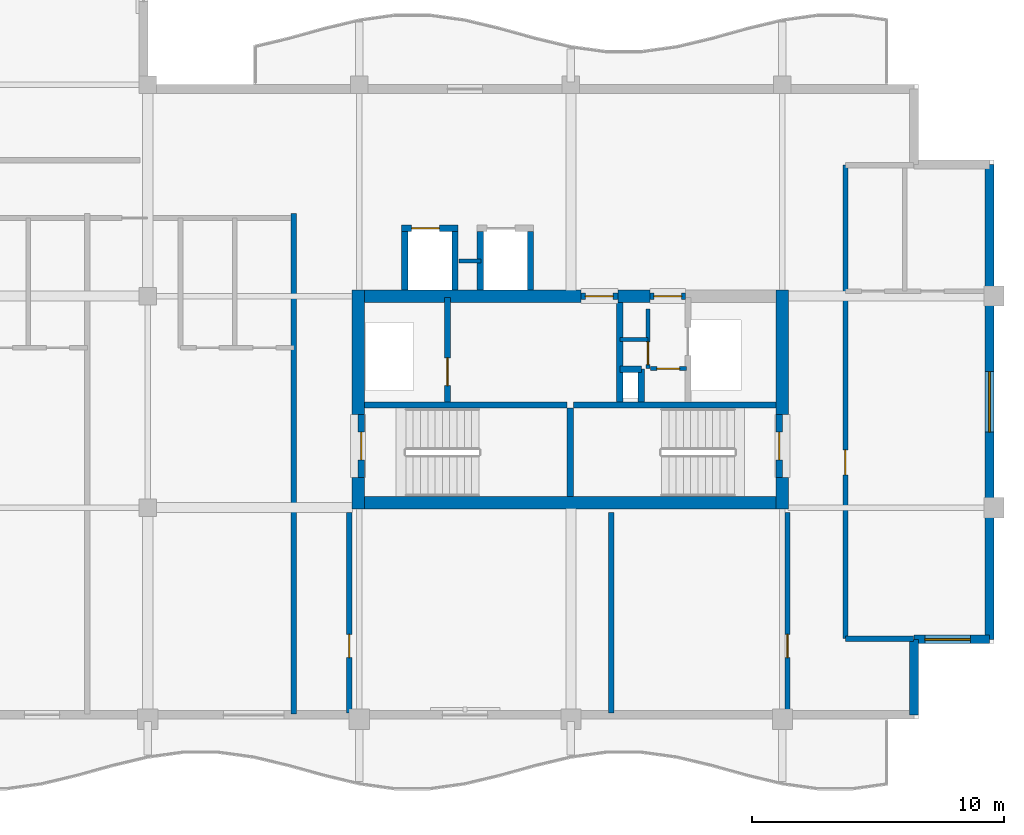
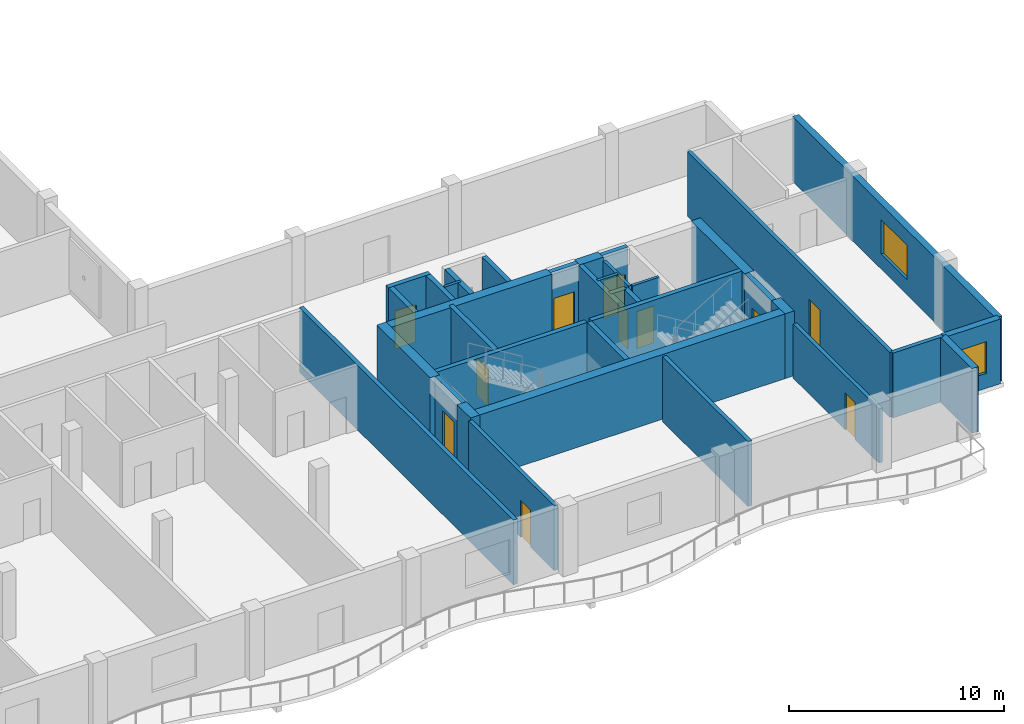
# One storey, part 4 of 11: 36 walls, 11 doors, 2 windows, 13 openings.
"""IFC4 building model written with IfcOpenShell, lengths in metres."""

from ifc_helpers import new_model, si_unit, direction, frame, frame_2d, origin, place, context, subcontext, project, spatial, rectangle, extrude, material, layer, layer_set, type_object, element, fill, save


model = new_model("IFC4")

# Units and contexts
model_context = context("Model", 3, precision=1e-05, world=origin(), true_north=direction((0.0, 1.0)))
body_context = subcontext(model_context, "Body", "Model", "MODEL_VIEW")
ifc_project = project(units=[si_unit("LENGTHUNIT", "METRE"), si_unit("AREAUNIT", "SQUARE_METRE"), si_unit("VOLUMEUNIT", "CUBIC_METRE"), si_unit("PLANEANGLEUNIT", "RADIAN"), si_unit("MASSUNIT", "GRAM", prefix="KILO")], contexts=[model_context])

# Site, building, storey
site_placement = place(None, origin())
site = spatial("IfcSite", under=ifc_project, at=site_placement, CompositionType="ELEMENT")
building_placement = place(site_placement, origin())
building = spatial("IfcBuilding", under=site, at=building_placement, Name="Koriwani Terraces Tower", CompositionType="ELEMENT")
storey_placement = place(building_placement, frame((0.0, 0.0, 312.5)))
storey = spatial("IfcBuildingStorey", under=building, at=storey_placement, Name="L77", CompositionType="ELEMENT", Elevation=312.5)

# Walls
ifc_material_1 = material(Name="Concrete C50/60", Category="concrete")
ifc_layer_1 = layer(ifc_material_1, 0.5, Name="Concrete C50/60")
ifc_layer_set_1 = layer_set([ifc_layer_1], Name="Concrete C50/60")
wall_type_1 = type_object("IfcWallType", Name="WALL_CORE_RC_500", PredefinedType="SHEAR", material=ifc_layer_set_1)
wall_1_placement = place(storey_placement, frame((41.949951171875, 16.75, 0.0), z_axis=(0.0, 0.0, 1.0), x_axis=(0.0, 1.0, 0.0)))
element("IfcWall", 1, at=wall_1_placement, inside=storey, type_object=wall_type_1, Name="L77 East Split Core Shear Wall W1", PredefinedType="SHEAR", context=body_context, shape_type="SweptSolid", body=[
    extrude(rectangle(XDim=1.25, YDim=0.5, at=frame_2d((0.625, 0.0))), origin(), (0.0, 0.0, 1.0), 3.669921875),
])
wall_2_placement = place(storey_placement, frame((41.949951171875, 20.5, 0.0), z_axis=(0.0, 0.0, 1.0), x_axis=(0.0, 1.0, 0.0)))
element("IfcWall", 2, at=wall_2_placement, inside=storey, type_object=wall_type_1, Name="L77 East Split Core Shear Wall W2", PredefinedType="SHEAR", context=body_context, shape_type="SweptSolid", body=[
    extrude(rectangle(XDim=4.949951171875, YDim=0.5, at=frame_2d((2.47509765625, 0.0))), origin(), (0.0, 0.0, 1.0), 3.669921875),
])
wall_3_placement = place(storey_placement, frame((58.800048828125, 16.75, 0.0), z_axis=(0.0, 0.0, 1.0), x_axis=(0.0, 1.0, 0.0)))
element("IfcWall", 3, at=wall_3_placement, inside=storey, type_object=wall_type_1, Name="L77 East Split Core Shear Wall E1", PredefinedType="SHEAR", context=body_context, shape_type="SweptSolid", body=[
    extrude(rectangle(XDim=1.25, YDim=0.5, at=frame_2d((0.625, 0.0))), origin(), (0.0, 0.0, 1.0), 3.669921875),
])
wall_4_placement = place(storey_placement, frame((58.800048828125, 20.5, 0.0), z_axis=(0.0, 0.0, 1.0), x_axis=(0.0, 1.0, 0.0)))
element("IfcWall", 4, at=wall_4_placement, inside=storey, type_object=wall_type_1, Name="L77 East Split Core Shear Wall E2", PredefinedType="SHEAR", context=body_context, shape_type="SweptSolid", body=[
    extrude(rectangle(XDim=4.949951171875, YDim=0.5, at=frame_2d((2.47509765625, 0.0))), origin(), (0.0, 0.0, 1.0), 3.669921875),
])
wall_5_placement = place(storey_placement, frame((42.199951171875, 17.0, 0.0), z_axis=(0.0, 0.0, 1.0), x_axis=(1.0, 0.0, 0.0)))
element("IfcWall", 5, at=wall_5_placement, inside=storey, type_object=wall_type_1, Name="L77 East Split Core Shear Wall S1", PredefinedType="SHEAR", context=body_context, shape_type="SweptSolid", body=[
    extrude(rectangle(XDim=16.35009765625, YDim=0.5, at=frame_2d((8.175048828125, 0.0))), origin(), (0.0, 0.0, 1.0), 3.669921875),
])
wall_6_placement = place(storey_placement, frame((42.199951171875, 25.199951171875, 0.0), z_axis=(0.0, 0.0, 1.0), x_axis=(1.0, 0.0, 0.0)))
element("IfcWall", 6, at=wall_6_placement, inside=storey, type_object=wall_type_1, Name="L77 East Split Core Shear Wall N1", PredefinedType="SHEAR", context=body_context, shape_type="SweptSolid", body=[
    extrude(rectangle(XDim=8.60009765625, YDim=0.5, at=frame_2d((4.300048828125, 0.0))), origin(), (0.0, 0.0, 1.0), 3.669921875),
])
wall_7_placement = place(storey_placement, frame((52.280029296875, 25.199951171875, 0.0), z_axis=(0.0, 0.0, 1.0), x_axis=(1.0, 0.0, 0.0)))
element("IfcWall", 7, at=wall_7_placement, inside=storey, type_object=wall_type_1, Name="L77 East Split Core Shear Wall N2", PredefinedType="SHEAR", context=body_context, shape_type="SweptSolid", body=[
    extrude(rectangle(XDim=1.27001953125, YDim=0.5, at=frame_2d((0.635009765625, 0.0))), origin(), (0.0, 0.0, 1.0), 3.669921875),
])

# Wall, opening, door
ifc_material_2 = material(Name="Autoclaved Cellular Concrete Blockwork", Category="masonry")
ifc_layer_2 = layer(ifc_material_2, 0.199951171875, Name="Autoclaved Cellular Concrete Blockwork")
ifc_layer_set_2 = layer_set([ifc_layer_2], Name="Autoclaved Cellular Concrete Blockwork")
wall_type_2 = type_object("IfcWallType", Name="WALL_CORRIDOR_200", PredefinedType="PARTITIONING", material=ifc_layer_set_2)
wall_8_placement = place(storey_placement, frame((41.60009765625, 8.64990234375, 0.0), z_axis=(0.0, 0.0, 1.0), x_axis=(0.0, 1.0, 0.0)))
wall_8 = element("IfcWall", 8, at=wall_8_placement, inside=storey, type_object=wall_type_2, Name="L77 Interior Wall WRZ4-EW-L77", PredefinedType="PARTITIONING", context=body_context, shape_type="SweptSolid", body=[
    extrude(rectangle(XDim=7.9501953125, YDim=0.199951171875, at=frame_2d((3.97509765625, 0.0))), origin(), (0.0, 0.0, 1.0), 3.669921875),
])
opening_1_placement = place(wall_8_placement, frame((2.199951171875, 0.0, 0.0)))
opening_1 = element("IfcOpeningElement", 9, at=opening_1_placement, cuts=wall_8, Name="Opening D-06", PredefinedType="OPENING", context=body_context, shape_type="SweptSolid", body=[
    extrude(rectangle(XDim=0.919921875, YDim=2.10009765625, at=frame_2d((0.4599609375, 1.050048828125))), frame((0.0, 0.10986328125, 0.0), z_axis=(0.0, -1.0, 0.0), x_axis=(1.0, 0.0, 0.0)), (0.0, 0.0, 1.0), 0.219970703125),
])
ifc_material_3 = material(Name="Architectural Oak Fire Door", Category="wood")
door_type_1 = type_object("IfcDoorType", Name="DOOR_ROOM_INT_920X2100", OperationType="NOTDEFINED", PredefinedType="DOOR", material=ifc_material_3)
door_1_placement = place(opening_1_placement, origin())
door_1 = element("IfcDoor", 10, at=door_1_placement, inside=storey, type_object=door_type_1, Name="L77 Resident Library Study Door", OperationType="SINGLE_SWING_RIGHT", OverallHeight=2.10009765625, OverallWidth=0.919921875, PredefinedType="DOOR", context=body_context, shape_type="SweptSolid", body=[
    extrude(rectangle(XDim=0.919921875, YDim=2.10009765625, at=frame_2d((0.4599609375, 1.050048828125))), frame((0.0, 0.02490234375, 0.0), z_axis=(0.0, -1.0, 0.0), x_axis=(1.0, 0.0, 0.0)), (0.0, 0.0, 1.0), 0.050048828125),
])
fill(opening_1, door_1)

wall_9_placement = place(storey_placement, frame((59.0, 8.64990234375, 0.0), z_axis=(0.0, 0.0, 1.0), x_axis=(0.0, 1.0, 0.0)))
wall_9 = element("IfcWall", 11, at=wall_9_placement, inside=storey, type_object=wall_type_2, Name="L77 Interior Wall WRZ4-EE-L77", PredefinedType="PARTITIONING", context=body_context, shape_type="SweptSolid", body=[
    extrude(rectangle(XDim=7.9501953125, YDim=0.199951171875, at=frame_2d((3.97509765625, 0.0))), origin(), (0.0, 0.0, 1.0), 3.070068359375),
])
opening_2_placement = place(wall_9_placement, frame((2.199951171875, 0.0, 0.0)))
opening_2 = element("IfcOpeningElement", 12, at=opening_2_placement, cuts=wall_9, Name="Opening D-06", PredefinedType="OPENING", context=body_context, shape_type="SweptSolid", body=[
    extrude(rectangle(XDim=0.919921875, YDim=2.10009765625, at=frame_2d((0.4599609375, 1.050048828125))), frame((0.0, 0.10986328125, 0.0), z_axis=(0.0, -1.0, 0.0), x_axis=(1.0, 0.0, 0.0)), (0.0, 0.0, 1.0), 0.219970703125),
])
door_2_placement = place(opening_2_placement, origin())
door_2 = element("IfcDoor", 13, at=door_2_placement, inside=storey, type_object=door_type_1, Name="L77 Resident Laundry Room Door", OperationType="SINGLE_SWING_LEFT", OverallHeight=2.10009765625, OverallWidth=0.919921875, PredefinedType="DOOR", context=body_context, shape_type="SweptSolid", body=[
    extrude(rectangle(XDim=0.919921875, YDim=2.10009765625, at=frame_2d((0.4599609375, 1.050048828125))), frame((0.0, 0.02490234375, 0.0), z_axis=(0.0, -1.0, 0.0), x_axis=(1.0, 0.0, 0.0)), (0.0, 0.0, 1.0), 0.050048828125),
])
fill(opening_2, door_2)

wall_10_placement = place(storey_placement, frame((61.300048828125, 11.60009765625, 0.0), z_axis=(0.0, 0.0, 1.0), x_axis=(0.0, 1.0, 0.0)))
wall_10 = element("IfcWall", 14, at=wall_10_placement, inside=storey, type_object=wall_type_2, Name="L77 Interior Wall WET-W-L77", PredefinedType="PARTITIONING", context=body_context, shape_type="SweptSolid", body=[
    extrude(rectangle(XDim=18.7998046875, YDim=0.199951171875, at=frame_2d((9.39990234375, 0.0))), origin(), (0.0, 0.0, 1.0), 3.669921875),
])
opening_3_placement = place(wall_10_placement, frame((6.5, 0.0, 0.0)))
opening_3 = element("IfcOpeningElement", 15, at=opening_3_placement, cuts=wall_10, Name="Opening D-05", PredefinedType="OPENING", context=body_context, shape_type="SweptSolid", body=[
    extrude(rectangle(XDim=1.0, YDim=2.14990234375, at=frame_2d((0.5, 1.074951171875))), frame((0.0, 0.10986328125, 0.0), z_axis=(0.0, -1.0, 0.0), x_axis=(1.0, 0.0, 0.0)), (0.0, 0.0, 1.0), 0.219970703125),
])
door_type_2 = type_object("IfcDoorType", Name="DOOR_SUITE_ENTRY_1000X2150", OperationType="NOTDEFINED", PredefinedType="DOOR", material=ifc_material_3)
door_3_placement = place(opening_3_placement, origin())
door_3 = element("IfcDoor", 16, at=door_3_placement, inside=storey, type_object=door_type_2, Name="Apartment 77ET Entrance Door", OperationType="SINGLE_SWING_RIGHT", OverallHeight=2.14990234375, OverallWidth=1.0, PredefinedType="DOOR", context=body_context, shape_type="SweptSolid", body=[
    extrude(rectangle(XDim=1.0, YDim=2.14990234375, at=frame_2d((0.5, 1.074951171875))), frame((0.0, 0.02490234375, 0.0), z_axis=(0.0, -1.0, 0.0), x_axis=(1.0, 0.0, 0.0)), (0.0, 0.0, 1.0), 0.050048828125),
])
fill(opening_3, door_3)

# Walls
ifc_layer_3 = layer(ifc_material_2, 0.219970703125, Name="Autoclaved Cellular Concrete Blockwork")
ifc_layer_set_3 = layer_set([ifc_layer_3], Name="Autoclaved Cellular Concrete Blockwork")
wall_type_3 = type_object("IfcWallType", Name="WALL_DEMISING_220", PredefinedType="PARTITIONING", material=ifc_layer_set_3)
wall_11_placement = place(storey_placement, frame((52.0, 8.64990234375, 0.0), z_axis=(0.0, 0.0, 1.0), x_axis=(0.0, 1.0, 0.0)))
element("IfcWall", 17, at=wall_11_placement, inside=storey, type_object=wall_type_3, Name="L77 Interior Wall WRZ4-EM-L77", PredefinedType="PARTITIONING", context=body_context, shape_type="SweptSolid", body=[
    extrude(rectangle(XDim=7.9501953125, YDim=0.219970703125, at=frame_2d((3.97509765625, 0.0))), origin(), (0.0, 0.0, 1.0), 3.669921875),
])
wall_12_placement = place(storey_placement, frame((39.39990234375, 8.60009765625, 0.0), z_axis=(0.0, 0.0, 1.0), x_axis=(0.0, 1.0, 0.0)))
element("IfcWall", 18, at=wall_12_placement, inside=storey, type_object=wall_type_3, Name="L77 Interior Wall WRDEME-L77-SW", PredefinedType="PARTITIONING", context=body_context, shape_type="SweptSolid", body=[
    extrude(rectangle(XDim=19.8798828125, YDim=0.219970703125, at=frame_2d((9.93994140625, 0.0))), origin(), (0.0, 0.0, 1.0), 3.669921875),
])
wall_13_placement = place(storey_placement, frame((61.300048828125, 11.60009765625, 0.0), z_axis=(0.0, 0.0, 1.0), x_axis=(1.0, 0.0, 0.0)))
element("IfcWall", 19, at=wall_13_placement, inside=storey, type_object=wall_type_3, Name="L77 Interior Wall WET-S-L77", PredefinedType="PARTITIONING", context=body_context, shape_type="SweptSolid", body=[
    extrude(rectangle(XDim=2.699951171875, YDim=0.219970703125, at=frame_2d((1.35009765625, 0.0))), origin(), (0.0, 0.0, 1.0), 3.669921875),
])

# Wall, opening, window
ifc_layer_4 = layer(ifc_material_1, 0.35009765625, Name="Concrete C50/60")
ifc_layer_set_4 = layer_set([ifc_layer_4], Name="Concrete C50/60")
wall_type_4 = type_object("IfcWallType", Name="WALL_EXT_BRUTALIST_350", PredefinedType="STANDARD", material=ifc_layer_set_4)
wall_14_placement = place(storey_placement, frame((67.02490234375, 30.425048828125, 0.0), z_axis=(0.0, 0.0, 1.0), x_axis=(0.0, -1.0, 0.0)))
wall_14 = element("IfcWall", 20, at=wall_14_placement, inside=storey, type_object=wall_type_4, Name="L77 Fair-Faced Brutalist Exterior Wall (E_TIP)", PredefinedType="STANDARD", context=body_context, shape_type="SweptSolid", body=[
    extrude(rectangle(XDim=18.85009765625, YDim=0.35009765625, at=frame_2d((9.425048828125, 0.0))), origin(), (0.0, 0.0, 1.0), 3.669921875),
])
opening_4_placement = place(wall_14_placement, frame((8.22509765625, 0.0, 0.85009765625)))
opening_4 = element("IfcOpeningElement", 21, at=opening_4_placement, cuts=wall_14, Name="Opening W-03", PredefinedType="OPENING", context=body_context, shape_type="SweptSolid", body=[
    extrude(rectangle(XDim=2.39990234375, YDim=1.949951171875, at=frame_2d((1.199951171875, 0.97509765625))), frame((0.0, 0.18505859375, 0.0), z_axis=(0.0, -1.0, 0.0), x_axis=(1.0, 0.0, 0.0)), (0.0, 0.0, 1.0), 0.3701171875),
])
ifc_material_4 = material(Name="Tempered Laminated Low-E Glass", Category="glass")
window_type_1 = type_object("IfcWindowType", Name="WIN_RES_LIVING_2400X1950", PartitioningType="DOUBLE_PANEL_VERTICAL", PredefinedType="WINDOW", material=ifc_material_4)
window_1_placement = place(opening_4_placement, origin())
window_1 = element("IfcWindow", 22, at=window_1_placement, inside=storey, type_object=window_type_1, Name="L77 Exterior Window (E_TIP-3)", OverallHeight=1.949951171875, OverallWidth=2.39990234375, PartitioningType="SINGLE_PANEL", PredefinedType="WINDOW", context=body_context, shape_type="SweptSolid", body=[
    extrude(rectangle(XDim=2.39990234375, YDim=1.949951171875, at=frame_2d((1.199951171875, 0.97509765625))), frame((0.0, 0.030029296875, 0.0), z_axis=(0.0, -1.0, 0.0), x_axis=(1.0, 0.0, 0.0)), (0.0, 0.0, 1.0), 0.06005859375),
])
fill(opening_4, window_1)

wall_15_placement = place(storey_placement, frame((67.02490234375, 11.574951171875, 0.0), z_axis=(0.0, 0.0, 1.0), x_axis=(-1.0, 0.0, 0.0)))
wall_15 = element("IfcWall", 23, at=wall_15_placement, inside=storey, type_object=wall_type_4, Name="L77 Fair-Faced Brutalist Exterior Wall (N13)", PredefinedType="STANDARD", context=body_context, shape_type="SweptSolid", body=[
    extrude(rectangle(XDim=3.0, YDim=0.35009765625, at=frame_2d((1.5, 0.0))), origin(), (0.0, 0.0, 1.0), 3.669921875),
])
opening_5_placement = place(wall_15_placement, frame((0.762451171875, 0.0, 0.85009765625)))
opening_5 = element("IfcOpeningElement", 24, at=opening_5_placement, cuts=wall_15, Name="Opening W-04", PredefinedType="OPENING", context=body_context, shape_type="SweptSolid", body=[
    extrude(rectangle(XDim=1.800048828125, YDim=1.800048828125, at=frame_2d((0.89990234375, 0.89990234375))), frame((0.0, 0.18505859375, 0.0), z_axis=(0.0, -1.0, 0.0), x_axis=(1.0, 0.0, 0.0)), (0.0, 0.0, 1.0), 0.3701171875),
])
window_type_2 = type_object("IfcWindowType", Name="WIN_RES_BED_1800X1800", PartitioningType="DOUBLE_PANEL_VERTICAL", PredefinedType="WINDOW", material=ifc_material_4)
window_2_placement = place(opening_5_placement, origin())
window_2 = element("IfcWindow", 25, at=window_2_placement, inside=storey, type_object=window_type_2, Name="L77 Exterior Window (N13-R51)", OverallHeight=1.800048828125, OverallWidth=1.800048828125, PartitioningType="SINGLE_PANEL", PredefinedType="WINDOW", context=body_context, shape_type="SweptSolid", body=[
    extrude(rectangle(XDim=1.800048828125, YDim=1.800048828125, at=frame_2d((0.89990234375, 0.89990234375))), frame((0.0, 0.030029296875, 0.0), z_axis=(0.0, -1.0, 0.0), x_axis=(1.0, 0.0, 0.0)), (0.0, 0.0, 1.0), 0.06005859375),
])
fill(opening_5, window_2)

# Walls
wall_16_placement = place(storey_placement, frame((64.02490234375, 11.574951171875, 0.0), z_axis=(0.0, 0.0, 1.0), x_axis=(0.0, -1.0, 0.0)))
element("IfcWall", 26, at=wall_16_placement, inside=storey, type_object=wall_type_4, Name="L77 Fair-Faced Brutalist Exterior Wall (N14)", PredefinedType="STANDARD", context=body_context, shape_type="SweptSolid", body=[
    extrude(rectangle(XDim=3.0, YDim=0.35009765625, at=frame_2d((1.5, 0.0))), origin(), (0.0, 0.0, 1.0), 3.669921875),
])
ifc_material_5 = material(Name="Concrete C40/50", Category="concrete")
ifc_layer_5 = layer(ifc_material_5, 0.25, Name="Concrete C40/50")
ifc_layer_set_5 = layer_set([ifc_layer_5], Name="Concrete C40/50")
wall_type_5 = type_object("IfcWallType", Name="WALL_SHAFT_RATED_250", PredefinedType="SOLIDWALL", material=ifc_layer_set_5)
for number, where, z_axis, x_axis, name in (
    (27, (42.199951171875, 20.875, 0.0), (0.0, 0.0, 1.0), (1.0, 0.0, 0.0), "L77 East Split Core Web Wall MID1"),
    (28, (50.5, 20.875, 0.0), (0.0, 0.0, 1.0), (1.0, 0.0, 0.0), "L77 East Split Core Web Wall MID2"),
):
    element("IfcWall", number, at=place(storey_placement, frame(where, z_axis=z_axis, x_axis=x_axis)), inside=storey, type_object=wall_type_5, Name=name, PredefinedType="SOLIDWALL", context=body_context, shape_type="SweptSolid", body=[
        extrude(rectangle(XDim=8.050048828125, YDim=0.25, at=frame_2d((4.02490234375, 0.0))), origin(), (0.0, 0.0, 1.0), 3.669921875),
    ])
wall_17_placement = place(storey_placement, frame((50.375, 17.25, 0.0), z_axis=(0.0, 0.0, 1.0), x_axis=(0.0, 1.0, 0.0)))
element("IfcWall", 29, at=wall_17_placement, inside=storey, type_object=wall_type_5, Name="L77 East Split Core Stair Dividing Wall", PredefinedType="SOLIDWALL", context=body_context, shape_type="SweptSolid", body=[
    extrude(rectangle(XDim=3.5, YDim=0.25, at=frame_2d((1.75, 0.0))), origin(), (0.0, 0.0, 1.0), 3.669921875),
])

# Wall, opening, door
wall_18_placement = place(storey_placement, frame((42.074951171875, 18.0, 0.0), z_axis=(0.0, 0.0, 1.0), x_axis=(0.0, 1.0, 0.0)))
wall_18 = element("IfcWall", 30, at=wall_18_placement, inside=storey, type_object=wall_type_5, Name="L77 Interior Wall WIN-CE-L77-STW", PredefinedType="SOLIDWALL", context=body_context, shape_type="SweptSolid", body=[
    extrude(rectangle(XDim=2.5, YDim=0.25, at=frame_2d((1.25, 0.0))), origin(), (0.0, 0.0, 1.0), 3.669921875),
])
opening_6_placement = place(wall_18_placement, frame((0.699951171875, 0.0, 0.0)))
opening_6 = element("IfcOpeningElement", 31, at=opening_6_placement, cuts=wall_18, Name="Opening D-03", PredefinedType="OPENING", context=body_context, shape_type="SweptSolid", body=[
    extrude(rectangle(XDim=1.10009765625, YDim=2.14990234375, at=frame_2d((0.550048828125, 1.074951171875))), frame((0.0, 0.135009765625, 0.0), z_axis=(0.0, -1.0, 0.0), x_axis=(1.0, 0.0, 0.0)), (0.0, 0.0, 1.0), 0.27001953125),
])
ifc_material_6 = material(Name="Steel ASTM A572 Grade 50", Category="steel")
door_type_3 = type_object("IfcDoorType", Name="DOOR_STAIR_FIRE_1100X2150", OperationType="NOTDEFINED", PredefinedType="DOOR", material=ifc_material_6)
door_4_placement = place(opening_6_placement, origin())
door_4 = element("IfcDoor", 32, at=door_4_placement, inside=storey, type_object=door_type_3, Name="L77 Exit Stair ST-E1 Door", OperationType="SINGLE_SWING_RIGHT", OverallHeight=2.14990234375, OverallWidth=1.10009765625, PredefinedType="DOOR", context=body_context, shape_type="SweptSolid", body=[
    extrude(rectangle(XDim=1.10009765625, YDim=2.14990234375, at=frame_2d((0.550048828125, 1.074951171875))), frame((0.0, 0.02490234375, 0.0), z_axis=(0.0, -1.0, 0.0), x_axis=(1.0, 0.0, 0.0)), (0.0, 0.0, 1.0), 0.050048828125),
])
fill(opening_6, door_4)

wall_19_placement = place(storey_placement, frame((58.675048828125, 18.0, 0.0), z_axis=(0.0, 0.0, 1.0), x_axis=(0.0, 1.0, 0.0)))
wall_19 = element("IfcWall", 33, at=wall_19_placement, inside=storey, type_object=wall_type_5, Name="L77 Interior Wall WIN-CE-L77-STE", PredefinedType="SOLIDWALL", context=body_context, shape_type="SweptSolid", body=[
    extrude(rectangle(XDim=2.5, YDim=0.25, at=frame_2d((1.25, 0.0))), origin(), (0.0, 0.0, 1.0), 3.669921875),
])
opening_7_placement = place(wall_19_placement, frame((0.699951171875, 0.0, 0.0)))
opening_7 = element("IfcOpeningElement", 34, at=opening_7_placement, cuts=wall_19, Name="Opening D-03", PredefinedType="OPENING", context=body_context, shape_type="SweptSolid", body=[
    extrude(rectangle(XDim=1.10009765625, YDim=2.14990234375, at=frame_2d((0.550048828125, 1.074951171875))), frame((0.0, 0.135009765625, 0.0), z_axis=(0.0, -1.0, 0.0), x_axis=(1.0, 0.0, 0.0)), (0.0, 0.0, 1.0), 0.27001953125),
])
door_5_placement = place(opening_7_placement, origin())
door_5 = element("IfcDoor", 35, at=door_5_placement, inside=storey, type_object=door_type_3, Name="L77 Exit Stair ST-E2 Door", OperationType="SINGLE_SWING_LEFT", OverallHeight=2.14990234375, OverallWidth=1.10009765625, PredefinedType="DOOR", context=body_context, shape_type="SweptSolid", body=[
    extrude(rectangle(XDim=1.10009765625, YDim=2.14990234375, at=frame_2d((0.550048828125, 1.074951171875))), frame((0.0, 0.02490234375, 0.0), z_axis=(0.0, -1.0, 0.0), x_axis=(1.0, 0.0, 0.0)), (0.0, 0.0, 1.0), 0.050048828125),
])
fill(opening_7, door_5)

wall_20_placement = place(storey_placement, frame((45.5, 21.0, 0.0), z_axis=(0.0, 0.0, 1.0), x_axis=(0.0, 1.0, 0.0)))
wall_20 = element("IfcWall", 36, at=wall_20_placement, inside=storey, type_object=wall_type_5, Name="L77 Interior Wall WIN-CE-L77-FE", PredefinedType="SOLIDWALL", context=body_context, shape_type="SweptSolid", body=[
    extrude(rectangle(XDim=4.14990234375, YDim=0.25, at=frame_2d((2.074951171875, 0.0))), origin(), (0.0, 0.0, 1.0), 3.669921875),
])
opening_8_placement = place(wall_20_placement, frame((0.64990234375, 0.0, 0.0)))
opening_8 = element("IfcOpeningElement", 37, at=opening_8_placement, cuts=wall_20, Name="Opening LD-01", PredefinedType="OPENING", context=body_context, shape_type="SweptSolid", body=[
    extrude(rectangle(XDim=1.10009765625, YDim=2.14990234375, at=frame_2d((0.550048828125, 1.074951171875))), frame((0.0, 0.135009765625, 0.0), z_axis=(0.0, -1.0, 0.0), x_axis=(1.0, 0.0, 0.0)), (0.0, 0.0, 1.0), 0.27001953125),
])
door_type_4 = type_object("IfcDoorType", Name="DOOR_LIFT_LANDING_1100X2200", OperationType="NOTDEFINED", PredefinedType="DOOR", material=ifc_material_6)
door_6_placement = place(opening_8_placement, origin())
door_6 = element("IfcDoor", 38, at=door_6_placement, inside=storey, type_object=door_type_4, Name="L77 Firefighting Lift FE-02 Landing Door", OperationType="SLIDING_TO_LEFT", OverallHeight=2.14990234375, OverallWidth=1.10009765625, PredefinedType="DOOR", context=body_context, shape_type="SweptSolid", body=[
    extrude(rectangle(XDim=1.10009765625, YDim=2.14990234375, at=frame_2d((0.550048828125, 1.074951171875))), frame((0.0, 0.02490234375, 0.0), z_axis=(0.0, -1.0, 0.0), x_axis=(1.0, 0.0, 0.0)), (0.0, 0.0, 1.0), 0.050048828125),
])
fill(opening_8, door_6)

wall_21_placement = place(storey_placement, frame((50.800048828125, 25.199951171875, 0.0), z_axis=(0.0, 0.0, 1.0), x_axis=(1.0, 0.0, 0.0)))
wall_21 = element("IfcWall", 39, at=wall_21_placement, inside=storey, type_object=wall_type_5, Name="L77 Interior Wall WIN-CE-L77-NP", PredefinedType="SOLIDWALL", context=body_context, shape_type="SweptSolid", body=[
    extrude(rectangle(XDim=1.47998046875, YDim=0.25, at=frame_2d((0.739990234375, 0.0))), origin(), (0.0, 0.0, 1.0), 3.669921875),
])
opening_9_placement = place(wall_21_placement, frame((0.179931640625, 0.0, 0.0)))
opening_9 = element("IfcOpeningElement", 40, at=opening_9_placement, cuts=wall_21, Name="Opening D-03", PredefinedType="OPENING", context=body_context, shape_type="SweptSolid", body=[
    extrude(rectangle(XDim=1.10009765625, YDim=2.14990234375, at=frame_2d((0.550048828125, 1.074951171875))), frame((0.0, 0.135009765625, 0.0), z_axis=(0.0, -1.0, 0.0), x_axis=(1.0, 0.0, 0.0)), (0.0, 0.0, 1.0), 0.27001953125),
])
door_7_placement = place(opening_9_placement, origin())
door_7 = element("IfcDoor", 41, at=door_7_placement, inside=storey, type_object=door_type_3, Name="L77 East Firefighting Lobby Door", OperationType="SINGLE_SWING_RIGHT", OverallHeight=2.14990234375, OverallWidth=1.10009765625, PredefinedType="DOOR", context=body_context, shape_type="SweptSolid", body=[
    extrude(rectangle(XDim=1.10009765625, YDim=2.14990234375, at=frame_2d((0.550048828125, 1.074951171875))), frame((0.0, 0.02490234375, 0.0), z_axis=(0.0, -1.0, 0.0), x_axis=(1.0, 0.0, 0.0)), (0.0, 0.0, 1.0), 0.050048828125),
])
fill(opening_9, door_7)

# Wall
wall_22_placement = place(storey_placement, frame((52.340087890625, 21.0, 0.0), z_axis=(0.0, 0.0, 1.0), x_axis=(0.0, 1.0, 0.0)))
element("IfcWall", 42, at=wall_22_placement, inside=storey, type_object=wall_type_5, Name="L77 Interior Wall WIN-CE-L77-FFE", PredefinedType="SOLIDWALL", context=body_context, shape_type="SweptSolid", body=[
    extrude(rectangle(XDim=3.949951171875, YDim=0.25, at=frame_2d((1.97509765625, 0.0))), origin(), (0.0, 0.0, 1.0), 3.669921875),
])

# Wall, opening, door
wall_23_placement = place(storey_placement, frame((53.550048828125, 25.199951171875, 0.0), z_axis=(0.0, 0.0, 1.0), x_axis=(1.0, 0.0, 0.0)))
wall_23 = element("IfcWall", 43, at=wall_23_placement, inside=storey, type_object=wall_type_5, Name="L77 Interior Wall WIN-CE-L77-NP2", PredefinedType="SOLIDWALL", context=body_context, shape_type="SweptSolid", body=[
    extrude(rectangle(XDim=1.39990234375, YDim=0.25, at=frame_2d((0.699951171875, 0.0))), origin(), (0.0, 0.0, 1.0), 3.669921875),
])
opening_10_placement = place(wall_23_placement, frame((0.14990234375, 0.0, 0.0)))
opening_10 = element("IfcOpeningElement", 44, at=opening_10_placement, cuts=wall_23, Name="Opening D-03", PredefinedType="OPENING", context=body_context, shape_type="SweptSolid", body=[
    extrude(rectangle(XDim=1.10009765625, YDim=2.14990234375, at=frame_2d((0.550048828125, 1.074951171875))), frame((0.0, 0.135009765625, 0.0), z_axis=(0.0, -1.0, 0.0), x_axis=(1.0, 0.0, 0.0)), (0.0, 0.0, 1.0), 0.27001953125),
])
door_8_placement = place(opening_10_placement, origin())
door_8 = element("IfcDoor", 45, at=door_8_placement, inside=storey, type_object=door_type_3, Name="L77 East Goods Lift Lobby Door", OperationType="SINGLE_SWING_LEFT", OverallHeight=2.14990234375, OverallWidth=1.10009765625, PredefinedType="DOOR", context=body_context, shape_type="SweptSolid", body=[
    extrude(rectangle(XDim=1.10009765625, YDim=2.14990234375, at=frame_2d((0.550048828125, 1.074951171875))), frame((0.0, 0.02490234375, 0.0), z_axis=(0.0, -1.0, 0.0), x_axis=(1.0, 0.0, 0.0)), (0.0, 0.0, 1.0), 0.050048828125),
])
fill(opening_10, door_8)

# Walls
wall_24_placement = place(storey_placement, frame((53.199951171875, 21.0, 0.0), z_axis=(0.0, 0.0, 1.0), x_axis=(0.0, 1.0, 0.0)))
element("IfcWall", 46, at=wall_24_placement, inside=storey, type_object=wall_type_5, Name="L77 Interior Wall WIN-CE-L77-RS1", PredefinedType="SOLIDWALL", context=body_context, shape_type="SweptSolid", body=[
    extrude(rectangle(XDim=1.300048828125, YDim=0.25, at=frame_2d((0.64990234375, 0.0))), origin(), (0.0, 0.0, 1.0), 3.669921875),
])
wall_25_placement = place(storey_placement, frame((52.360107421875, 22.300048828125, 0.0), z_axis=(0.0, 0.0, 1.0), x_axis=(1.0, 0.0, 0.0)))
element("IfcWall", 47, at=wall_25_placement, inside=storey, type_object=wall_type_5, Name="L77 Interior Wall WIN-CE-L77-RS2", PredefinedType="SOLIDWALL", context=body_context, shape_type="SweptSolid", body=[
    extrude(rectangle(XDim=0.83984375, YDim=0.25, at=frame_2d((0.419921875, 0.0))), origin(), (0.0, 0.0, 1.0), 3.669921875),
])

# Wall, opening, door
wall_26_placement = place(storey_placement, frame((43.675048828125, 27.89990234375, 0.0), z_axis=(0.0, 0.0, 1.0), x_axis=(1.0, 0.0, 0.0)))
wall_26 = element("IfcWall", 48, at=wall_26_placement, inside=storey, type_object=wall_type_5, Name="L77 Interior Wall WIN-LF-PE-H3-L77-F", PredefinedType="SOLIDWALL", context=body_context, shape_type="SweptSolid", body=[
    extrude(rectangle(XDim=2.25, YDim=0.25, at=frame_2d((1.125, 0.0))), origin(), (0.0, 0.0, 1.0), 3.669921875),
])
opening_11_placement = place(wall_26_placement, frame((0.39990234375, 0.0, 0.0)))
opening_11 = element("IfcOpeningElement", 49, at=opening_11_placement, cuts=wall_26, Name="Opening LD-01", PredefinedType="OPENING", context=body_context, shape_type="SweptSolid", body=[
    extrude(rectangle(XDim=1.10009765625, YDim=2.14990234375, at=frame_2d((0.550048828125, 1.074951171875))), frame((0.0, 0.135009765625, 0.0), z_axis=(0.0, -1.0, 0.0), x_axis=(1.0, 0.0, 0.0)), (0.0, 0.0, 1.0), 0.27001953125),
])
door_9_placement = place(opening_11_placement, origin())
door_9 = element("IfcDoor", 50, at=door_9_placement, inside=storey, type_object=door_type_4, Name="L77 Passenger Lift PE-H3 Landing Door", OperationType="SLIDING_TO_LEFT", OverallHeight=2.14990234375, OverallWidth=1.10009765625, PredefinedType="DOOR", context=body_context, shape_type="SweptSolid", body=[
    extrude(rectangle(XDim=1.10009765625, YDim=2.14990234375, at=frame_2d((0.550048828125, 1.074951171875))), frame((0.0, 0.02490234375, 0.0), z_axis=(0.0, -1.0, 0.0), x_axis=(1.0, 0.0, 0.0)), (0.0, 0.0, 1.0), 0.050048828125),
])
fill(opening_11, door_9)

# Walls
for number, where, z_axis, x_axis, name in (
    (51, (43.800048828125, 25.449951171875, 0.0), (0.0, 0.0, 1.0), (0.0, 1.0, 0.0), "L77 Interior Wall WIN-LF-PE-H3-L77-W"),
    (52, (45.800048828125, 25.449951171875, 0.0), (0.0, 0.0, 1.0), (0.0, 1.0, 0.0), "L77 Interior Wall WIN-LF-PE-H3-L77-E"),
    (53, (46.800048828125, 25.449951171875, 0.0), (0.0, 0.0, 1.0), (0.0, 1.0, 0.0), "L77 Interior Wall WIN-LF-PE-H4-L77-W"),
    (54, (48.800048828125, 25.449951171875, 0.0), (0.0, 0.0, 1.0), (0.0, 1.0, 0.0), "L77 Interior Wall WIN-LF-PE-H4-L77-E"),
):
    element("IfcWall", number, at=place(storey_placement, frame(where, z_axis=z_axis, x_axis=x_axis)), inside=storey, type_object=wall_type_5, Name=name, PredefinedType="SOLIDWALL", context=body_context, shape_type="SweptSolid", body=[
        extrude(rectangle(XDim=2.324951171875, YDim=0.25, at=frame_2d((1.16259765625, 0.0))), origin(), (0.0, 0.0, 1.0), 3.669921875),
    ])

# Wall, opening, door
ifc_material_7 = material(Name="Fire-Rated Acoustic Gypsum Partition", Category="masonry")
ifc_layer_6 = layer(ifc_material_7, 0.159912109375, Name="Fire-Rated Acoustic Gypsum Partition")
ifc_layer_set_6 = layer_set([ifc_layer_6], Name="Fire-Rated Acoustic Gypsum Partition")
wall_type_6 = type_object("IfcWallType", Name="WALL_SUITE_160", PredefinedType="PARTITIONING", material=ifc_layer_set_6)
wall_27_placement = place(storey_placement, frame((53.56005859375, 22.320068359375, 0.0), z_axis=(0.0, 0.0, 1.0), x_axis=(1.0, 0.0, 0.0)))
wall_27 = element("IfcWall", 55, at=wall_27_placement, inside=storey, type_object=wall_type_6, Name="L77 Interior Wall WIN-CE-L77-SV2A", PredefinedType="PARTITIONING", context=body_context, shape_type="SweptSolid", body=[
    extrude(rectangle(XDim=1.43994140625, YDim=0.159912109375, at=frame_2d((0.719970703125, 0.0))), origin(), (0.0, 0.0, 1.0), 3.669921875),
])
opening_12_placement = place(wall_27_placement, frame((0.260009765625, 0.0, 0.0)))
opening_12 = element("IfcOpeningElement", 56, at=opening_12_placement, cuts=wall_27, Name="Opening D-07", PredefinedType="OPENING", context=body_context, shape_type="SweptSolid", body=[
    extrude(rectangle(XDim=0.89990234375, YDim=2.10009765625, at=frame_2d((0.449951171875, 1.050048828125))), frame((0.0, 0.08984375, 0.0), z_axis=(0.0, -1.0, 0.0), x_axis=(1.0, 0.0, 0.0)), (0.0, 0.0, 1.0), 0.179931640625),
])
door_type_5 = type_object("IfcDoorType", Name="DOOR_BATH_INT_900X2100", OperationType="NOTDEFINED", PredefinedType="DOOR", material=ifc_material_3)
door_10_placement = place(opening_12_placement, origin())
door_10 = element("IfcDoor", 57, at=door_10_placement, inside=storey, type_object=door_type_5, Name="L77 East Meter Room Door", OperationType="SINGLE_SWING_RIGHT", OverallHeight=2.10009765625, OverallWidth=0.89990234375, PredefinedType="DOOR", context=body_context, shape_type="SweptSolid", body=[
    extrude(rectangle(XDim=0.89990234375, YDim=2.10009765625, at=frame_2d((0.449951171875, 1.050048828125))), frame((0.0, 0.02490234375, 0.0), z_axis=(0.0, -1.0, 0.0), x_axis=(1.0, 0.0, 0.0)), (0.0, 0.0, 1.0), 0.050048828125),
])
fill(opening_12, door_10)

wall_28_placement = place(storey_placement, frame((53.4599609375, 22.320068359375, 0.0), z_axis=(0.0, 0.0, 1.0), x_axis=(0.0, 1.0, 0.0)))
wall_28 = element("IfcWall", 58, at=wall_28_placement, inside=storey, type_object=wall_type_6, Name="L77 Interior Wall WIN-CE-L77-SV2H", PredefinedType="PARTITIONING", context=body_context, shape_type="SweptSolid", body=[
    extrude(rectangle(XDim=2.35986328125, YDim=0.159912109375, at=frame_2d((1.179931640625, 0.0))), origin(), (0.0, 0.0, 1.0), 3.669921875),
])
opening_13_placement = place(wall_28_placement, frame((0.159912109375, 0.0, 0.0)))
opening_13 = element("IfcOpeningElement", 59, at=opening_13_placement, cuts=wall_28, Name="Opening D-07", PredefinedType="OPENING", context=body_context, shape_type="SweptSolid", body=[
    extrude(rectangle(XDim=0.89990234375, YDim=2.10009765625, at=frame_2d((0.449951171875, 1.050048828125))), frame((0.0, 0.08984375, 0.0), z_axis=(0.0, -1.0, 0.0), x_axis=(1.0, 0.0, 0.0)), (0.0, 0.0, 1.0), 0.179931640625),
])
door_11_placement = place(opening_13_placement, origin())
door_11 = element("IfcDoor", 60, at=door_11_placement, inside=storey, type_object=door_type_5, Name="L77 East Valve Room Door", OperationType="SINGLE_SWING_LEFT", OverallHeight=2.10009765625, OverallWidth=0.89990234375, PredefinedType="DOOR", context=body_context, shape_type="SweptSolid", body=[
    extrude(rectangle(XDim=0.89990234375, YDim=2.10009765625, at=frame_2d((0.449951171875, 1.050048828125))), frame((0.0, 0.02490234375, 0.0), z_axis=(0.0, -1.0, 0.0), x_axis=(1.0, 0.0, 0.0)), (0.0, 0.0, 1.0), 0.050048828125),
])
fill(opening_13, door_11)

# Walls
wall_29_placement = place(storey_placement, frame((52.360107421875, 23.47998046875, 0.0), z_axis=(0.0, 0.0, 1.0), x_axis=(1.0, 0.0, 0.0)))
element("IfcWall", 61, at=wall_29_placement, inside=storey, type_object=wall_type_6, Name="L77 Interior Wall WIN-CE-L77-SV2V", PredefinedType="PARTITIONING", context=body_context, shape_type="SweptSolid", body=[
    extrude(rectangle(XDim=1.099853515625, YDim=0.159912109375, at=frame_2d((0.5498046875, 0.0))), origin(), (0.0, 0.0, 1.0), 3.669921875),
])
wall_30_placement = place(storey_placement, frame((45.9599609375, 26.60009765625, 0.0), z_axis=(0.0, 0.0, 1.0), x_axis=(1.0, 0.0, 0.0)))
element("IfcWall", 62, at=wall_30_placement, inside=storey, type_object=wall_type_6, Name="L77 Interior Wall WIN-LF-PEH34-MID-L77", PredefinedType="PARTITIONING", context=body_context, shape_type="SweptSolid", body=[
    extrude(rectangle(XDim=0.880126953125, YDim=0.159912109375, at=frame_2d((0.43994140625, 0.0))), origin(), (0.0, 0.0, 1.0), 3.669921875),
])

save(model, "model.ifc")
